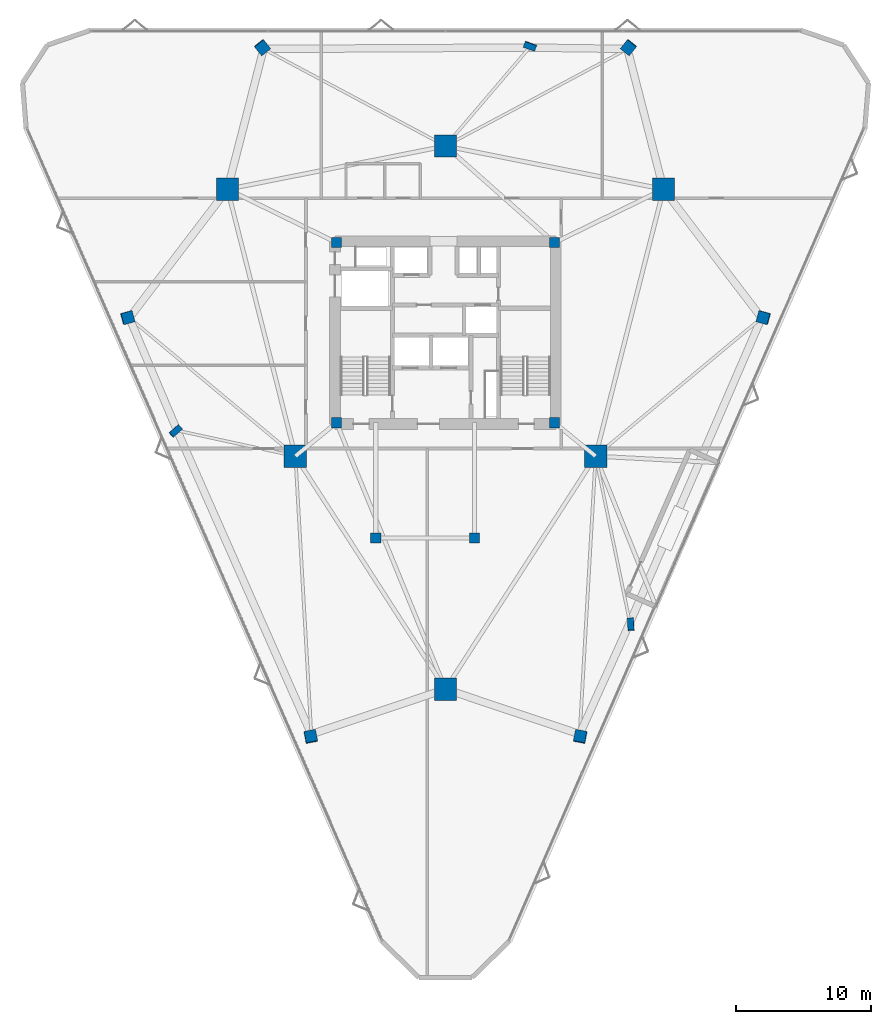
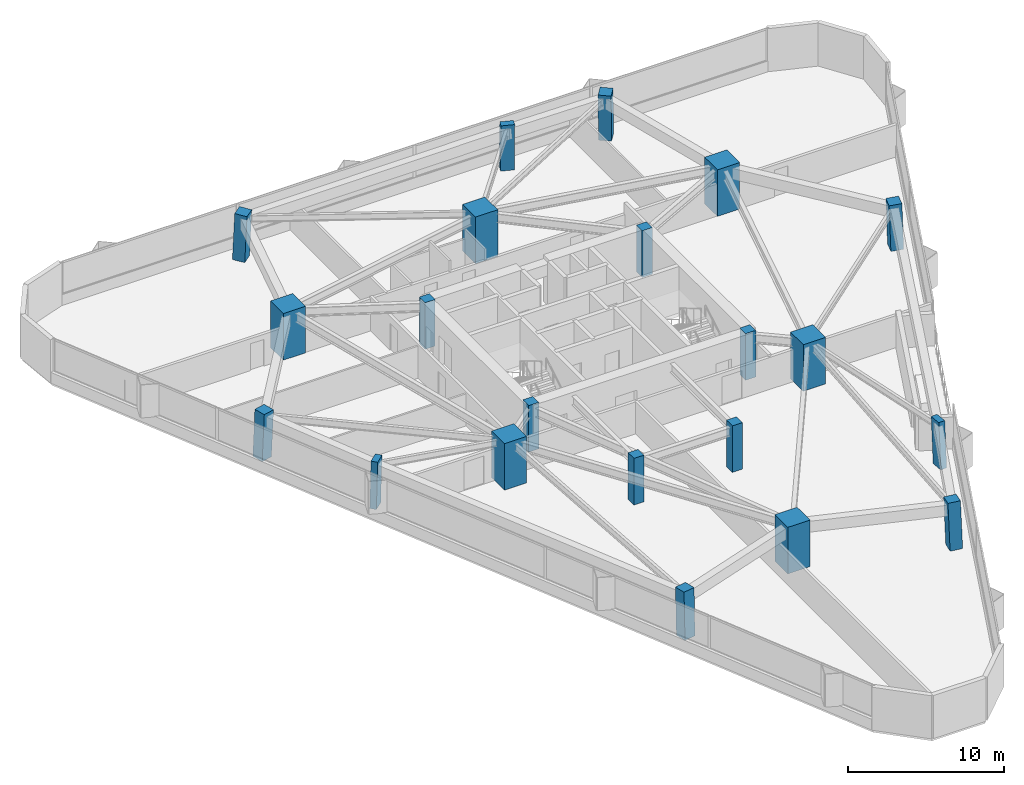
# One storey, part 1 of 14: 21 columns.
"""IFC4 building model written with IfcOpenShell, lengths in metres."""

import ifcopenshell
import ifcopenshell.guid

model = None  # the IFC model being written
_history = None  # IfcOwnerHistory: only IFC2X3 demands one
_inside = {}  # id of a spatial element -> (the spatial element, [elements in it])
_under = {}  # id of a project, library or spatial element -> (it, [spatial elements below it])
_declared = {}  # id of a project -> (the project, [libraries it declares])
_typed = {}  # id of a type object -> (the type object, [elements of that type])
_made_of = {}  # id of a material, layer set ... -> (it, [elements and type objects made of it])


def new_model(schema):
    """Start an empty IFC model of exactly this schema.

    Asked for "IFC4X3", IfcOpenShell would pick the latest addendum, in which some entities
    have other attributes; the version numbers below select the first issue.
    IFC2X3 requires an IfcOwnerHistory on every rooted entity: one is made here for all.
    """
    global model, _history
    if schema == "IFC4X3":
        model = ifcopenshell.file(schema_version=(4, 3, 0, 0))
    else:
        model = ifcopenshell.file(schema=schema)
    _inside.clear()
    _under.clear()
    _declared.clear()
    _typed.clear()
    _made_of.clear()
    _history = None
    if model.schema == "IFC2X3":
        org = make("IfcOrganization", Name="unknown")
        user = make(
            "IfcPersonAndOrganization",
            ThePerson=make("IfcPerson", FamilyName="unknown"),
            TheOrganization=org,
        )
        app = make(
            "IfcApplication",
            ApplicationDeveloper=org,
            Version="unknown",
            ApplicationFullName="unknown",
            ApplicationIdentifier="unknown",
        )
        _history = make(
            "IfcOwnerHistory",
            OwningUser=user,
            OwningApplication=app,
            ChangeAction="ADDED",
            CreationDate=0,
        )
    return model


def make(cls, **values):
    """One entity of the class cls with the attributes given. An attribute that is None is left unset."""
    return model.create_entity(
        cls, **{name: value for name, value in values.items() if value is not None}
    )


def rooted(cls, **values):
    """An entity with a GlobalId (a new one), such as an element, a storey or a relation."""
    return make(cls, GlobalId=ifcopenshell.guid.new(), OwnerHistory=_history, **values)


def si_unit(unit_type, name, prefix=None):
    """IfcSIUnit, for example si_unit("LENGTHUNIT", "METRE", prefix="MILLI")."""
    return make("IfcSIUnit", UnitType=unit_type, Prefix=prefix, Name=name)


def assignment(units):
    """IfcUnitAssignment: the units of a project."""
    return None if units is None else make("IfcUnitAssignment", Units=units)


def point(xyz):
    """IfcCartesianPoint."""
    return None if xyz is None else make("IfcCartesianPoint", Coordinates=xyz)


def direction(xyz):
    """IfcDirection."""
    return None if xyz is None else make("IfcDirection", DirectionRatios=xyz)


def frame(location, z_axis=None, x_axis=None):
    """IfcAxis2Placement3D, a coordinate frame: its origin and axes. An axis left out is left unset."""
    return make(
        "IfcAxis2Placement3D",
        Location=point(location),
        Axis=direction(z_axis),
        RefDirection=direction(x_axis),
    )


def frame_2d(location, x_axis=None):
    """IfcAxis2Placement2D, a coordinate frame in the plane: its origin and x axis."""
    return make(
        "IfcAxis2Placement2D", Location=point(location), RefDirection=direction(x_axis)
    )


def origin():
    """The frame at (0, 0, 0) with its axes left unset."""
    return frame((0.0, 0.0, 0.0))


def origin_2d():
    """The frame at (0, 0) in the plane with its x axis left unset."""
    return frame_2d((0.0, 0.0))


def place(relative_to, where):
    """IfcLocalPlacement: puts the frame where relative to a parent placement (None: the world)."""
    return make(
        "IfcLocalPlacement", PlacementRelTo=relative_to, RelativePlacement=where
    )


def context(
    kind, dimensions, precision=None, world=None, true_north=None, identifier=None
):
    """IfcGeometricRepresentationContext, for example the 3D "Model" context."""
    return make(
        "IfcGeometricRepresentationContext",
        ContextIdentifier=identifier,
        ContextType=kind,
        CoordinateSpaceDimension=dimensions,
        Precision=precision,
        WorldCoordinateSystem=world,
        TrueNorth=true_north,
    )


def subcontext(parent, identifier, kind, view, scale=None):
    """IfcGeometricRepresentationSubContext, for example "Body" below "Model"."""
    return make(
        "IfcGeometricRepresentationSubContext",
        ContextIdentifier=identifier,
        ContextType=kind,
        ParentContext=parent,
        TargetScale=scale,
        TargetView=view,
    )


def project(units=None, contexts=None):
    """IfcProject with its units and contexts."""
    return rooted(
        "IfcProject",
        Name="project",
        RepresentationContexts=contexts,
        UnitsInContext=assignment(units),
    )


def spatial(cls, under=None, at=None, **own):
    """A site, building, storey or space (cls), placed at a placement, below another one or the project."""
    s = rooted(cls, ObjectPlacement=at, **own)
    if under is not None:
        _under.setdefault(under.id(), (under, []))[1].append(s)
    return s


def profile(cls, at=None, kind="AREA", **sizes):
    """A parametric profile (cls). Its sizes go by their IFC names, for example OverallWidth=200.0."""
    return make(cls, ProfileType=kind, Position=at, **sizes)


def rectangle(**sizes):
    """IfcRectangleProfileDef."""
    return profile("IfcRectangleProfileDef", **sizes)


def extrude(swept, where, along, depth):
    """IfcExtrudedAreaSolid: the profile swept, set in the frame where, extruded along a direction by depth."""
    return make(
        "IfcExtrudedAreaSolid",
        SweptArea=swept,
        Position=where,
        ExtrudedDirection=direction(along),
        Depth=depth,
    )


def shape(context_of_items, identifier, shape_type, items):
    """IfcShapeRepresentation: the items that make up one representation, for example the "Body"."""
    return make(
        "IfcShapeRepresentation",
        ContextOfItems=context_of_items,
        RepresentationIdentifier=identifier,
        RepresentationType=shape_type,
        Items=items,
    )


def material(Name=None, Category=None):
    """IfcMaterial."""
    return make("IfcMaterial", Name=Name, Category=Category)


def material_profile(
    of_material, cross_section, Name=None, Category=None, Priority=None
):
    """IfcMaterialProfile: a cross section and its material."""
    return make(
        "IfcMaterialProfile",
        Name=Name,
        Material=of_material,
        Profile=cross_section,
        Priority=Priority,
        Category=Category,
    )


def profile_set(profiles, Name=None, composite=None):
    """IfcMaterialProfileSet."""
    return make(
        "IfcMaterialProfileSet",
        Name=Name,
        MaterialProfiles=profiles,
        CompositeProfile=composite,
    )


def made_of(thing, what):
    """Note that an element or type object is made of a material, layer set ...; save() writes the relation."""
    if what is not None:
        _made_of.setdefault(what.id(), (what, []))[1].append(thing)
    return thing


def type_object(cls, material=None, **own):
    """A type object (cls), such as IfcWallType, which elements share."""
    return made_of(rooted(cls, **own), material)


def element(
    cls,
    number,
    at=None,
    inside=None,
    cuts=None,
    type_object=None,
    material=None,
    context=None,
    identifier="Body",
    shape_type=None,
    held_by="IfcProductDefinitionShape",
    body=None,
    shapes=None,
    **own,
):
    """One element of the class cls, such as IfcWall. Its Tag is "e" and its number.

    at: its placement. inside: the storey or other place that contains it. cuts: it is an
    opening in that element (IfcRelVoidsElement). A single representation is given by context,
    identifier, shape_type and body (its items); several are given by shapes. held_by: the class
    of the entity that holds the representations. save() writes the other relations.
    """
    e = rooted(cls, Tag="e%d" % number, ObjectPlacement=at, **own)
    if body is not None:
        shapes = [shape(context, identifier, shape_type, body)]
    if shapes is not None:
        e.Representation = make(held_by, Representations=shapes)
    if inside is not None:
        _inside.setdefault(inside.id(), (inside, []))[1].append(e)
    if cuts is not None:
        rooted(
            "IfcRelVoidsElement", RelatingBuildingElement=cuts, RelatedOpeningElement=e
        )
    if type_object is not None:
        _typed.setdefault(type_object.id(), (type_object, []))[1].append(e)
    return made_of(e, material)


def aggregate(whole, parts):
    """IfcRelAggregates: a whole, such as a stair, and the parts it consists of."""
    return rooted("IfcRelAggregates", RelatingObject=whole, RelatedObjects=parts)


def save(model, path):
    """Write the relations noted so far, then the file.

    IfcRelAggregates (storeys below a building ...), IfcRelContainedInSpatialStructure (elements
    in a storey), IfcRelDefinesByType, IfcRelAssociatesMaterial and IfcRelDeclares: one each for
    every whole, place, type object, material and project.
    """
    for whole, parts in _under.values():
        aggregate(whole, parts)
    for where, things in _inside.values():
        rooted(
            "IfcRelContainedInSpatialStructure",
            RelatedElements=things,
            RelatingStructure=where,
        )
    for kind, things in _typed.values():
        rooted("IfcRelDefinesByType", RelatedObjects=things, RelatingType=kind)
    for what, things in _made_of.values():
        rooted("IfcRelAssociatesMaterial", RelatedObjects=things, RelatingMaterial=what)
    for by, libraries in _declared.values():
        rooted("IfcRelDeclares", RelatingContext=by, RelatedDefinitions=libraries)
    model.write(path)


model = new_model("IFC4")

# Units and contexts
model_context = context("Model", 3, precision=1e-05, world=origin(), true_north=direction((0.0, 1.0)))
body_context = subcontext(model_context, "Body", "Model", "MODEL_VIEW")
ifc_project = project(units=[si_unit("LENGTHUNIT", "METRE"), si_unit("AREAUNIT", "SQUARE_METRE"), si_unit("VOLUMEUNIT", "CUBIC_METRE"), si_unit("PLANEANGLEUNIT", "RADIAN"), si_unit("MASSUNIT", "GRAM", prefix="KILO")], contexts=[model_context])

# Site, building, storey
site_placement = place(None, origin())
site = spatial("IfcSite", under=ifc_project, at=site_placement, CompositionType="ELEMENT")
building_placement = place(site_placement, origin())
building = spatial("IfcBuilding", under=site, at=building_placement, Name="Talyreon Biosciences Tower", CompositionType="ELEMENT")
storey_placement = place(building_placement, frame((0.0, 0.0, 96.89990234375)))
storey = spatial("IfcBuildingStorey", under=building, at=storey_placement, Name="L25", CompositionType="ELEMENT", Elevation=96.89990234375)

# Columns
ifc_material_1 = material(Name="Precast concrete C45/55", Category="concrete")
ifc_material_profile_1 = material_profile(ifc_material_1, rectangle(XDim=0.89990234375, YDim=0.449951171875, at=origin_2d()), Name="RC 900x450")
ifc_profile_set_1 = profile_set([ifc_material_profile_1], Name="Precast concrete C45/55")
column_type_1 = type_object("IfcColumnType", Name="FacadePilaster_900x450", PredefinedType="PILASTER", material=ifc_profile_set_1)
column_1_placement = place(storey_placement, frame((79.6943359375, 46.44384765625, 0.003173828125), z_axis=(-0.019612004119, 0.038286915892, 0.999074312234), x_axis=(0.060909884258, -0.99736466781, 0.03941706995)))
element("IfcColumn", 1, at=column_1_placement, inside=storey, type_object=column_type_1, Name="L25 Facade Pilaster PL-SE", PredefinedType="PILASTER", context=body_context, shape_type="SweptSolid", body=[
    extrude(rectangle(XDim=0.89990234375, YDim=0.449951171875, at=origin_2d()), origin(), (0.0, 0.0, 1.0), 3.6474609375),
])
column_2_placement = place(storey_placement, frame((72.247314453125, 89.18115234375, 0.003173828125), z_axis=(-0.01238655289, -0.033544124313, 0.999360478022), x_axis=(-0.9380871136, 0.346399433166, 0.0)))
element("IfcColumn", 2, at=column_2_placement, inside=storey, type_object=column_type_1, Name="L25 Facade Pilaster PL-N", PredefinedType="PILASTER", context=body_context, shape_type="SweptSolid", body=[
    extrude(rectangle(XDim=0.89990234375, YDim=0.449951171875, at=origin_2d()), origin(), (0.0, 0.0, 1.0), 3.646484375),
])
column_3_placement = place(storey_placement, frame((46.058349609375, 60.737548828125, 0.003173828125), z_axis=(0.032006476949, 0.010512587617, 0.999432374368), x_axis=(0.745076502926, 0.666264296085, -0.030868957717)))
element("IfcColumn", 3, at=column_3_placement, inside=storey, type_object=column_type_1, Name="L25 Facade Pilaster PL-SW", PredefinedType="PILASTER", context=body_context, shape_type="SweptSolid", body=[
    extrude(rectangle(XDim=0.89990234375, YDim=0.449951171875, at=origin_2d()), origin(), (0.0, 0.0, 1.0), 3.64599609375),
])
ifc_material_2 = material(Name="Concrete C60/75", Category="concrete")
ifc_material_profile_2 = material_profile(ifc_material_2, rectangle(XDim=1.64990234375, YDim=1.64990234375, at=origin_2d()), Name="RC 1650x1650")
ifc_profile_set_2 = profile_set([ifc_material_profile_2], Name="Concrete C60/75")
column_type_2 = type_object("IfcColumnType", Name="MegaColumn_1650", PredefinedType="COLUMN", material=ifc_profile_set_2)
for number, where, z_axis, x_axis, name in (
    (4, (66.0, 41.6669921875, 0.0), (0.0, 0.0, 1.0), (1.0, 0.0, 0.0), "L25 Composite Mega-Column MC1"),
    (5, (82.102294921875, 78.5986328125, 0.0), (0.0, 0.0, 1.0), (1.0, 0.0, 0.0), "L25 Composite Mega-Column MC2"),
    (6, (49.897705078125, 78.5986328125, 0.0), (0.0, 0.0, 1.0), (1.0, 0.0, 0.0), "L25 Composite Mega-Column MC3"),
    (7, (77.086181640625, 58.88037109375, 0.0), (0.0, 0.0, 1.0), (1.0, 0.0, 0.0), "L25 Composite Mega-Column MC4"),
    (8, (66.0, 81.788818359375, 0.0), (0.0, 0.0, 1.0), (1.0, 0.0, 0.0), "L25 Composite Mega-Column MC5"),
    (9, (54.913818359375, 58.88037109375, 0.0), (0.0, 0.0, 1.0), (1.0, 0.0, 0.0), "L25 Composite Mega-Column MC6"),
):
    element("IfcColumn", number, at=place(storey_placement, frame(where, z_axis=z_axis, x_axis=x_axis)), inside=storey, type_object=column_type_2, Name=name, PredefinedType="COLUMN", context=body_context, shape_type="SweptSolid", body=[
        extrude(rectangle(XDim=1.64990234375, YDim=1.64990234375, at=origin_2d()), origin(), (0.0, 0.0, 1.0), 3.650146484375),
    ])
ifc_material_3 = material(Name="Concrete C50/60", Category="concrete")
ifc_material_profile_3 = material_profile(ifc_material_3, rectangle(XDim=0.75, YDim=0.75, at=origin_2d()), Name="RC 750x750")
ifc_profile_set_3 = profile_set([ifc_material_profile_3], Name="Concrete C50/60")
column_type_3 = type_object("IfcColumnType", Name="PerimeterColumn_750", PredefinedType="COLUMN", material=ifc_profile_set_3)
for number, where, z_axis, x_axis, name in (
    (10, (57.949951171875, 61.35009765625, 0.0), (0.0, 0.0, 1.0), (1.0, 0.0, 0.0), "L25 Core Column CC1"),
    (11, (74.050048828125, 61.35009765625, 0.0), (0.0, 0.0, 1.0), (1.0, 0.0, 0.0), "L25 Core Column CC2"),
    (12, (74.050048828125, 74.64990234375, 0.0), (0.0, 0.0, 1.0), (1.0, 0.0, 0.0), "L25 Core Column CC3"),
    (13, (57.949951171875, 74.64990234375, 0.0), (0.0, 0.0, 1.0), (1.0, 0.0, 0.0), "L25 Core Column CC4"),
    (14, (60.85009765625, 52.840087890625, 0.0), (0.0, 0.0, 1.0), (1.0, 0.0, 0.0), "L25 Core Column CSW"),
    (15, (68.14990234375, 52.840087890625, 0.0), (0.0, 0.0, 1.0), (1.0, 0.0, 0.0), "L25 Core Column CSE"),
):
    element("IfcColumn", number, at=place(storey_placement, frame(where, z_axis=z_axis, x_axis=x_axis)), inside=storey, type_object=column_type_3, Name=name, PredefinedType="COLUMN", context=body_context, shape_type="SweptSolid", body=[
        extrude(rectangle(XDim=0.75, YDim=0.75, at=origin_2d()), origin(), (0.0, 0.0, 1.0), 3.650146484375),
    ])
ifc_material_profile_4 = material_profile(ifc_material_2, rectangle(XDim=0.85009765625, YDim=0.85009765625, at=origin_2d()), Name="RC 850x850")
ifc_profile_set_4 = profile_set([ifc_material_profile_4], Name="Concrete C60/75")
column_type_4 = type_object("IfcColumnType", Name="PerimeterColumn_850", PredefinedType="COLUMN", material=ifc_profile_set_4)
column_4_placement = place(storey_placement, frame((75.95849609375, 38.14599609375, 0.003173828125), z_axis=(-0.012375141264, 0.054450621561, 0.998439775695), x_axis=(-0.18777931012, -0.980877683046, 0.051165433581)))
element("IfcColumn", 16, at=column_4_placement, inside=storey, type_object=column_type_4, Name="L25 Tapering Perimeter Column PC-SE1", PredefinedType="COLUMN", context=body_context, shape_type="SweptSolid", body=[
    extrude(rectangle(XDim=0.85009765625, YDim=0.85009765625, at=origin_2d()), origin(), (0.0, 0.0, 1.0), 3.649658203125),
])
column_5_placement = place(storey_placement, frame((89.494384765625, 69.115478515625, 0.003173828125), z_axis=(-0.039229493406, -0.00569028488, 0.999214024874), x_axis=(0.963587524212, -0.264914672989, 0.036322158782)))
element("IfcColumn", 17, at=column_5_placement, inside=storey, type_object=column_type_4, Name="L25 Tapering Perimeter Column PC-SE2", PredefinedType="COLUMN", context=body_context, shape_type="SweptSolid", body=[
    extrude(rectangle(XDim=0.85009765625, YDim=0.85009765625, at=origin_2d()), origin(), (0.0, 0.0, 1.0), 3.64697265625),
])
for number, where, z_axis, x_axis, name in (
    (18, (79.535888671875, 89.081298828125, 0.003173828125), (-0.026841076243, -0.033534611465, 0.999077067328), (-0.780716755404, 0.624885067698, 0.0), "L25 Tapering Perimeter Column PC-N1"),
    (19, (52.464111328125, 89.081298828125, 0.003173828125), (0.026841076243, -0.033534611465, 0.999077067328), (-0.780716755404, -0.624885067698, 0.0), "L25 Tapering Perimeter Column PC-N2"),
):
    element("IfcColumn", number, at=place(storey_placement, frame(where, z_axis=z_axis, x_axis=x_axis)), inside=storey, type_object=column_type_4, Name=name, PredefinedType="COLUMN", context=body_context, shape_type="SweptSolid", body=[
        extrude(rectangle(XDim=0.85009765625, YDim=0.85009765625, at=origin_2d()), origin(), (0.0, 0.0, 1.0), 3.6474609375),
    ])
column_6_placement = place(storey_placement, frame((42.505615234375, 69.115478515625, 0.003173828125), z_axis=(0.039229493406, -0.00569028488, 0.999214024874), x_axis=(0.963587524212, 0.264914672989, -0.036322158782)))
element("IfcColumn", 20, at=column_6_placement, inside=storey, type_object=column_type_4, Name="L25 Tapering Perimeter Column PC-SW1", PredefinedType="COLUMN", context=body_context, shape_type="SweptSolid", body=[
    extrude(rectangle(XDim=0.85009765625, YDim=0.85009765625, at=origin_2d()), origin(), (0.0, 0.0, 1.0), 3.64697265625),
])
column_7_placement = place(storey_placement, frame((56.04150390625, 38.14599609375, 0.003173828125), z_axis=(0.012375141264, 0.054450621561, 0.998439775695), x_axis=(-0.18777931012, 0.980877683046, -0.051165433581)))
element("IfcColumn", 21, at=column_7_placement, inside=storey, type_object=column_type_4, Name="L25 Tapering Perimeter Column PC-SW2", PredefinedType="COLUMN", context=body_context, shape_type="SweptSolid", body=[
    extrude(rectangle(XDim=0.85009765625, YDim=0.85009765625, at=origin_2d()), origin(), (0.0, 0.0, 1.0), 3.649658203125),
])

save(model, "model.ifc")
